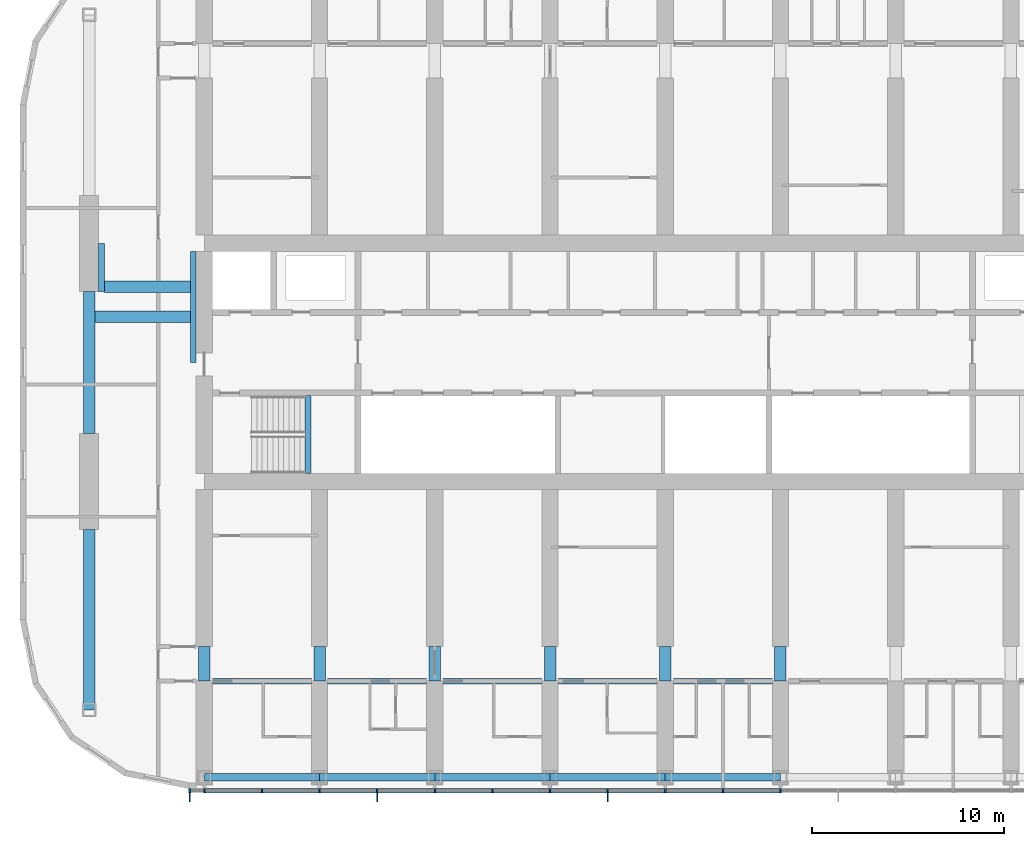
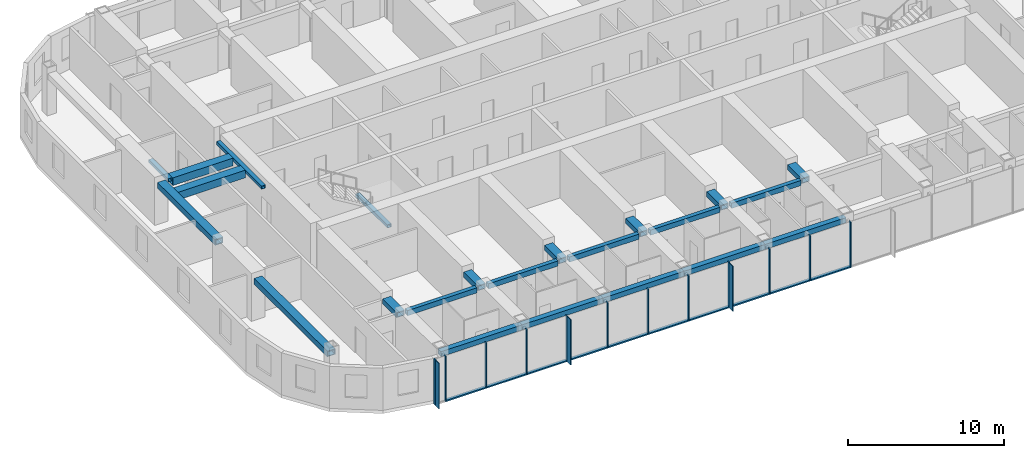
# One storey, part 2 of 23: 25 members, 23 beams, 1 element without a shape of its own.
"""IFC4 building model written with IfcOpenShell, lengths in metres."""

from ifc_helpers import new_model, si_unit, direction, frame, origin, origin_2d, place, context, subcontext, project, spatial, rectangle, hollow_rectangle, extrude, material, material_profile, profile_set, type_object, element, aggregate, save


model = new_model("IFC4")

# Units and contexts
model_context = context("Model", 3, precision=1e-05, world=origin(), true_north=direction((0.0, 1.0)))
body_context = subcontext(model_context, "Body", "Model", "MODEL_VIEW")
ifc_project = project(units=[si_unit("LENGTHUNIT", "METRE"), si_unit("AREAUNIT", "SQUARE_METRE"), si_unit("VOLUMEUNIT", "CUBIC_METRE"), si_unit("PLANEANGLEUNIT", "RADIAN"), si_unit("MASSUNIT", "GRAM", prefix="KILO")], contexts=[model_context])

# Site, building, storey
site_placement = place(None, origin())
site = spatial("IfcSite", under=ifc_project, at=site_placement, CompositionType="ELEMENT")
building_placement = place(site_placement, origin())
building = spatial("IfcBuilding", under=site, at=building_placement, Name="Orbita Commons", CompositionType="ELEMENT")
storey_placement = place(building_placement, frame((0.0, 0.0, 174.85009765625)))
storey = spatial("IfcBuildingStorey", under=building, at=storey_placement, Name="L43", CompositionType="ELEMENT", Elevation=174.85009765625)

# Curtain wall, members
ifc_material_1 = material(Name="Anodised aluminium frame, pale silver", Category="aluminium")
curtain_wall_type = type_object("IfcCurtainWallType", Name="Unitised curtain wall CW-U, full-height vision", PredefinedType="NOTDEFINED", material=ifc_material_1)
curtain_wall_placement = place(storey_placement, origin())
curtain_wall = element("IfcCurtainWall", 1, at=curtain_wall_placement, inside=storey, type_object=curtain_wall_type, Name="Curtain wall south L43", PredefinedType="NOTDEFINED")
ifc_material_2 = material(Name="Anodised aluminium, pale silver", Category="aluminium")
ifc_material_profile_1 = material_profile(ifc_material_2, rectangle(XDim=0.080078125, YDim=0.219970703125, at=origin_2d()), Name="AL 80x220")
ifc_profile_set_1 = profile_set([ifc_material_profile_1], Name="Anodised aluminium, pale silver")
member_type_1 = type_object("IfcMemberType", Name="Curtain wall mullion 80x220", PredefinedType="MULLION", material=ifc_profile_set_1)
member_1_placement = place(storey_placement, frame((17.239990234375, 9.68994140625, -0.25), z_axis=(0.0, 0.0, 1.0), x_axis=(1.0, 0.0, 0.0)))
member_1 = element("IfcMember", 2, at=member_1_placement, type_object=member_type_1, Name="Mullion 1 CW-L43-S", PredefinedType="MULLION", context=body_context, shape_type="SweptSolid", body=[
    extrude(rectangle(XDim=0.080078125, YDim=0.219970703125, at=origin_2d()), origin(), (0.0, 0.0, 1.0), 3.5498046875),
])
member_2_placement = place(storey_placement, frame((18.0, 9.68994140625, -0.25), z_axis=(0.0, 0.0, 1.0), x_axis=(1.0, 0.0, 0.0)))
member_2 = element("IfcMember", 3, at=member_2_placement, type_object=member_type_1, Name="Mullion 2 CW-L43-S", PredefinedType="MULLION", context=body_context, shape_type="SweptSolid", body=[
    extrude(rectangle(XDim=0.080078125, YDim=0.219970703125, at=origin_2d()), origin(), (0.0, 0.0, 1.0), 3.5498046875),
])
member_3_placement = place(storey_placement, frame((21.0, 9.68994140625, -0.25), z_axis=(0.0, 0.0, 1.0), x_axis=(1.0, 0.0, 0.0)))
member_3 = element("IfcMember", 4, at=member_3_placement, type_object=member_type_1, Name="Mullion 3 CW-L43-S", PredefinedType="MULLION", context=body_context, shape_type="SweptSolid", body=[
    extrude(rectangle(XDim=0.080078125, YDim=0.219970703125, at=origin_2d()), origin(), (0.0, 0.0, 1.0), 3.5498046875),
])
member_4_placement = place(storey_placement, frame((24.0, 9.68994140625, -0.25), z_axis=(0.0, 0.0, 1.0), x_axis=(1.0, 0.0, 0.0)))
member_4 = element("IfcMember", 5, at=member_4_placement, type_object=member_type_1, Name="Mullion 4 CW-L43-S", PredefinedType="MULLION", context=body_context, shape_type="SweptSolid", body=[
    extrude(rectangle(XDim=0.080078125, YDim=0.219970703125, at=origin_2d()), origin(), (0.0, 0.0, 1.0), 3.5498046875),
])
member_5_placement = place(storey_placement, frame((27.0, 9.68994140625, -0.25), z_axis=(0.0, 0.0, 1.0), x_axis=(1.0, 0.0, 0.0)))
member_5 = element("IfcMember", 6, at=member_5_placement, type_object=member_type_1, Name="Mullion 5 CW-L43-S", PredefinedType="MULLION", context=body_context, shape_type="SweptSolid", body=[
    extrude(rectangle(XDim=0.080078125, YDim=0.219970703125, at=origin_2d()), origin(), (0.0, 0.0, 1.0), 3.5498046875),
])
member_6_placement = place(storey_placement, frame((30.0, 9.68994140625, -0.25), z_axis=(0.0, 0.0, 1.0), x_axis=(1.0, 0.0, 0.0)))
member_6 = element("IfcMember", 7, at=member_6_placement, type_object=member_type_1, Name="Mullion 6 CW-L43-S", PredefinedType="MULLION", context=body_context, shape_type="SweptSolid", body=[
    extrude(rectangle(XDim=0.080078125, YDim=0.219970703125, at=origin_2d()), origin(), (0.0, 0.0, 1.0), 3.5498046875),
])
member_7_placement = place(storey_placement, frame((33.0, 9.68994140625, -0.25), z_axis=(0.0, 0.0, 1.0), x_axis=(1.0, 0.0, 0.0)))
member_7 = element("IfcMember", 8, at=member_7_placement, type_object=member_type_1, Name="Mullion 7 CW-L43-S", PredefinedType="MULLION", context=body_context, shape_type="SweptSolid", body=[
    extrude(rectangle(XDim=0.080078125, YDim=0.219970703125, at=origin_2d()), origin(), (0.0, 0.0, 1.0), 3.5498046875),
])
member_8_placement = place(storey_placement, frame((36.0, 9.68994140625, -0.25), z_axis=(0.0, 0.0, 1.0), x_axis=(1.0, 0.0, 0.0)))
member_8 = element("IfcMember", 9, at=member_8_placement, type_object=member_type_1, Name="Mullion 8 CW-L43-S", PredefinedType="MULLION", context=body_context, shape_type="SweptSolid", body=[
    extrude(rectangle(XDim=0.080078125, YDim=0.219970703125, at=origin_2d()), origin(), (0.0, 0.0, 1.0), 3.5498046875),
])
member_9_placement = place(storey_placement, frame((39.0, 9.68994140625, -0.25), z_axis=(0.0, 0.0, 1.0), x_axis=(1.0, 0.0, 0.0)))
member_9 = element("IfcMember", 10, at=member_9_placement, type_object=member_type_1, Name="Mullion 9 CW-L43-S", PredefinedType="MULLION", context=body_context, shape_type="SweptSolid", body=[
    extrude(rectangle(XDim=0.080078125, YDim=0.219970703125, at=origin_2d()), origin(), (0.0, 0.0, 1.0), 3.5498046875),
])
member_10_placement = place(storey_placement, frame((42.0, 9.68994140625, -0.25), z_axis=(0.0, 0.0, 1.0), x_axis=(1.0, 0.0, 0.0)))
member_10 = element("IfcMember", 11, at=member_10_placement, type_object=member_type_1, Name="Mullion 10 CW-L43-S", PredefinedType="MULLION", context=body_context, shape_type="SweptSolid", body=[
    extrude(rectangle(XDim=0.080078125, YDim=0.219970703125, at=origin_2d()), origin(), (0.0, 0.0, 1.0), 3.5498046875),
])
member_11_placement = place(storey_placement, frame((45.0, 9.68994140625, -0.25), z_axis=(0.0, 0.0, 1.0), x_axis=(1.0, 0.0, 0.0)))
member_11 = element("IfcMember", 12, at=member_11_placement, type_object=member_type_1, Name="Mullion 11 CW-L43-S", PredefinedType="MULLION", context=body_context, shape_type="SweptSolid", body=[
    extrude(rectangle(XDim=0.080078125, YDim=0.219970703125, at=origin_2d()), origin(), (0.0, 0.0, 1.0), 3.5498046875),
])
member_12_placement = place(storey_placement, frame((48.0, 9.68994140625, -0.25), z_axis=(0.0, 0.0, 1.0), x_axis=(1.0, 0.0, 0.0)))
member_12 = element("IfcMember", 13, at=member_12_placement, type_object=member_type_1, Name="Mullion 12 CW-L43-S", PredefinedType="MULLION", context=body_context, shape_type="SweptSolid", body=[
    extrude(rectangle(XDim=0.080078125, YDim=0.219970703125, at=origin_2d()), origin(), (0.0, 0.0, 1.0), 3.5498046875),
])
ifc_material_3 = material(Name="Anodised aluminium, pale silver", Category="aluminium")
ifc_material_profile_2 = material_profile(ifc_material_3, rectangle(XDim=0.219970703125, YDim=0.10009765625, at=origin_2d()), Name="AL 220x100")
ifc_profile_set_2 = profile_set([ifc_material_profile_2], Name="Anodised aluminium, pale silver")
member_type_2 = type_object("IfcMemberType", Name="Curtain wall stack transom 220x100", PredefinedType="USERDEFINED", material=ifc_profile_set_2)
member_13_placement = place(storey_placement, frame((18.0400390625, 9.68994140625, -0.2001953125), z_axis=(1.0, 0.0, 0.0), x_axis=(0.0, 1.0, 0.0)))
member_13 = element("IfcMember", 14, at=member_13_placement, type_object=member_type_2, Name="Transom 2.1 CW-L43-S", ObjectType="TRANSOM", PredefinedType="USERDEFINED", context=body_context, shape_type="SweptSolid", body=[
    extrude(rectangle(XDim=0.219970703125, YDim=0.10009765625, at=origin_2d()), origin(), (0.0, 0.0, 1.0), 2.919921875),
])
member_14_placement = place(storey_placement, frame((21.0400390625, 9.68994140625, -0.2001953125), z_axis=(1.0, 0.0, 0.0), x_axis=(0.0, 1.0, 0.0)))
member_14 = element("IfcMember", 15, at=member_14_placement, type_object=member_type_2, Name="Transom 3.1 CW-L43-S", ObjectType="TRANSOM", PredefinedType="USERDEFINED", context=body_context, shape_type="SweptSolid", body=[
    extrude(rectangle(XDim=0.219970703125, YDim=0.10009765625, at=origin_2d()), origin(), (0.0, 0.0, 1.0), 2.919921875),
])
member_15_placement = place(storey_placement, frame((24.0400390625, 9.68994140625, -0.2001953125), z_axis=(1.0, 0.0, 0.0), x_axis=(0.0, 1.0, 0.0)))
member_15 = element("IfcMember", 16, at=member_15_placement, type_object=member_type_2, Name="Transom 4.1 CW-L43-S", ObjectType="TRANSOM", PredefinedType="USERDEFINED", context=body_context, shape_type="SweptSolid", body=[
    extrude(rectangle(XDim=0.219970703125, YDim=0.10009765625, at=origin_2d()), origin(), (0.0, 0.0, 1.0), 2.919921875),
])
member_16_placement = place(storey_placement, frame((27.0400390625, 9.68994140625, -0.2001953125), z_axis=(1.0, 0.0, 0.0), x_axis=(0.0, 1.0, 0.0)))
member_16 = element("IfcMember", 17, at=member_16_placement, type_object=member_type_2, Name="Transom 5.1 CW-L43-S", ObjectType="TRANSOM", PredefinedType="USERDEFINED", context=body_context, shape_type="SweptSolid", body=[
    extrude(rectangle(XDim=0.219970703125, YDim=0.10009765625, at=origin_2d()), origin(), (0.0, 0.0, 1.0), 2.919921875),
])
member_17_placement = place(storey_placement, frame((30.0400390625, 9.68994140625, -0.2001953125), z_axis=(1.0, 0.0, 0.0), x_axis=(0.0, 1.0, 0.0)))
member_17 = element("IfcMember", 18, at=member_17_placement, type_object=member_type_2, Name="Transom 6.1 CW-L43-S", ObjectType="TRANSOM", PredefinedType="USERDEFINED", context=body_context, shape_type="SweptSolid", body=[
    extrude(rectangle(XDim=0.219970703125, YDim=0.10009765625, at=origin_2d()), origin(), (0.0, 0.0, 1.0), 2.919921875),
])
member_18_placement = place(storey_placement, frame((33.0400390625, 9.68994140625, -0.2001953125), z_axis=(1.0, 0.0, 0.0), x_axis=(0.0, 1.0, 0.0)))
member_18 = element("IfcMember", 19, at=member_18_placement, type_object=member_type_2, Name="Transom 7.1 CW-L43-S", ObjectType="TRANSOM", PredefinedType="USERDEFINED", context=body_context, shape_type="SweptSolid", body=[
    extrude(rectangle(XDim=0.219970703125, YDim=0.10009765625, at=origin_2d()), origin(), (0.0, 0.0, 1.0), 2.919921875),
])
member_19_placement = place(storey_placement, frame((36.0400390625, 9.68994140625, -0.2001953125), z_axis=(1.0, 0.0, 0.0), x_axis=(0.0, 1.0, 0.0)))
member_19 = element("IfcMember", 20, at=member_19_placement, type_object=member_type_2, Name="Transom 8.1 CW-L43-S", ObjectType="TRANSOM", PredefinedType="USERDEFINED", context=body_context, shape_type="SweptSolid", body=[
    extrude(rectangle(XDim=0.219970703125, YDim=0.10009765625, at=origin_2d()), origin(), (0.0, 0.0, 1.0), 2.919921875),
])
member_20_placement = place(storey_placement, frame((39.0400390625, 9.68994140625, -0.2001953125), z_axis=(1.0, 0.0, 0.0), x_axis=(0.0, 1.0, 0.0)))
member_20 = element("IfcMember", 21, at=member_20_placement, type_object=member_type_2, Name="Transom 9.1 CW-L43-S", ObjectType="TRANSOM", PredefinedType="USERDEFINED", context=body_context, shape_type="SweptSolid", body=[
    extrude(rectangle(XDim=0.219970703125, YDim=0.10009765625, at=origin_2d()), origin(), (0.0, 0.0, 1.0), 2.919921875),
])
member_21_placement = place(storey_placement, frame((42.0400390625, 9.68994140625, -0.2001953125), z_axis=(1.0, 0.0, 0.0), x_axis=(0.0, 1.0, 0.0)))
member_21 = element("IfcMember", 22, at=member_21_placement, type_object=member_type_2, Name="Transom 10.1 CW-L43-S", ObjectType="TRANSOM", PredefinedType="USERDEFINED", context=body_context, shape_type="SweptSolid", body=[
    extrude(rectangle(XDim=0.219970703125, YDim=0.10009765625, at=origin_2d()), origin(), (0.0, 0.0, 1.0), 2.919921875),
])
member_22_placement = place(storey_placement, frame((45.0400390625, 9.68994140625, -0.2001953125), z_axis=(1.0, 0.0, 0.0), x_axis=(0.0, 1.0, 0.0)))
member_22 = element("IfcMember", 23, at=member_22_placement, type_object=member_type_2, Name="Transom 11.1 CW-L43-S", ObjectType="TRANSOM", PredefinedType="USERDEFINED", context=body_context, shape_type="SweptSolid", body=[
    extrude(rectangle(XDim=0.219970703125, YDim=0.10009765625, at=origin_2d()), origin(), (0.0, 0.0, 1.0), 2.919921875),
])

# Beams
ifc_material_4 = material(Name="Steel ASTM A572 Gr 50 welded plate", Category="steel")
ifc_material_profile_3 = material_profile(ifc_material_4, hollow_rectangle(XDim=0.300048828125, YDim=0.25, WallThickness=0.02490234375, at=origin_2d()), Name="BOX 250x300x25")
ifc_profile_set_3 = profile_set([ifc_material_profile_3], Name="Steel ASTM A572 Gr 50 welded plate")
beam_type_1 = type_object("IfcBeamType", Name="Stair landing beam steel BOX 250x300x25", PredefinedType="BEAM", material=ifc_profile_set_3)
beam_1_placement = place(storey_placement, frame((23.39990234375, 26.2099609375, 1.5498046875), z_axis=(0.0, 1.0, 0.0), x_axis=(-1.0, 0.0, 0.0)))
element("IfcBeam", 24, at=beam_1_placement, inside=storey, type_object=beam_type_1, Name="Stair S1 landing beam L43 1", PredefinedType="BEAM", context=body_context, shape_type="SweptSolid", body=[
    extrude(hollow_rectangle(XDim=0.300048828125, YDim=0.25, WallThickness=0.02490234375, at=origin_2d()), origin(), (0.0, 0.0, 1.0), 4.054931640625),
])
ifc_material_5 = material(Name="Steel ASTM A572 Gr 50 welded plate", Category="steel")
ifc_material_profile_4 = material_profile(ifc_material_5, hollow_rectangle(XDim=0.60009765625, YDim=0.60009765625, WallThickness=0.06005859375, at=origin_2d()), Name="BOX 600x600x60")
ifc_profile_set_4 = profile_set([ifc_material_profile_4], Name="Steel ASTM A572 Gr 50 welded plate")
beam_type_2 = type_object("IfcBeamType", Name="Stair trimmer beam BOX 600x600x60", PredefinedType="BEAM", material=ifc_profile_set_4)
beam_2_placement = place(storey_placement, frame((12.300048828125, 34.375, 3.0), z_axis=(1.0, 0.0, 0.0), x_axis=(0.0, 1.0, 0.0)))
element("IfcBeam", 25, at=beam_2_placement, inside=storey, type_object=beam_type_2, Name="Neighbourhood stair L44 to L45 transfer beam 1", PredefinedType="BEAM", context=body_context, shape_type="SweptSolid", body=[
    extrude(hollow_rectangle(XDim=0.60009765625, YDim=0.60009765625, WallThickness=0.06005859375, at=origin_2d()), origin(), (0.0, 0.0, 1.0), 4.974853515625),
])
beam_3_placement = place(storey_placement, frame((12.800048828125, 35.93505859375, 3.0), z_axis=(1.0, 0.0, 0.0), x_axis=(0.0, 1.0, 0.0)))
element("IfcBeam", 26, at=beam_3_placement, inside=storey, type_object=beam_type_2, Name="Neighbourhood stair L44 to L45 transfer beam 2", PredefinedType="BEAM", context=body_context, shape_type="SweptSolid", body=[
    extrude(hollow_rectangle(XDim=0.60009765625, YDim=0.60009765625, WallThickness=0.06005859375, at=origin_2d()), origin(), (0.0, 0.0, 1.0), 4.474853515625),
])
ifc_material_6 = material(Name="Steel ASTM A572 Gr 50 welded plate", Category="steel")
ifc_material_profile_5 = material_profile(ifc_material_6, hollow_rectangle(XDim=0.300048828125, YDim=0.39990234375, WallThickness=0.0400390625, at=origin_2d()), Name="BOX 400x300x40")
ifc_profile_set_5 = profile_set([ifc_material_profile_5], Name="Steel ASTM A572 Gr 50 welded plate")
beam_type_3 = type_object("IfcBeamType", Name="Steel corridor link BOX 400x300x40", PredefinedType="BEAM", material=ifc_profile_set_5)
for number, where, z_axis, x_axis, name in (
    (27, (18.425048828125, 15.39990234375, 3.099853515625), (1.0, 0.0, 0.0), (0.0, 1.0, 0.0), "Corridor beam SA 4-5 L43"),
    (28, (24.425048828125, 15.39990234375, 3.099853515625), (1.0, 0.0, 0.0), (0.0, 1.0, 0.0), "Corridor beam SA 5-6 L43"),
    (29, (30.425048828125, 15.39990234375, 3.099853515625), (1.0, 0.0, 0.0), (0.0, 1.0, 0.0), "Corridor beam SA 6-7 L43"),
    (30, (36.425048828125, 15.39990234375, 3.099853515625), (1.0, 0.0, 0.0), (0.0, 1.0, 0.0), "Corridor beam SA 7-8 L43"),
    (31, (42.425048828125, 15.39990234375, 3.099853515625), (1.0, 0.0, 0.0), (0.0, 1.0, 0.0), "Corridor beam SA 8-9 L43"),
):
    element("IfcBeam", number, at=place(storey_placement, frame(where, z_axis=z_axis, x_axis=x_axis)), inside=storey, type_object=beam_type_3, Name=name, PredefinedType="BEAM", context=body_context, shape_type="SweptSolid", body=[
        extrude(hollow_rectangle(XDim=0.300048828125, YDim=0.39990234375, WallThickness=0.0400390625, at=origin_2d()), origin(), (0.0, 0.0, 1.0), 5.14990234375),
    ])
ifc_material_7 = material(Name="Steel ASTM A572 Gr 50 welded plate", Category="steel")
ifc_material_profile_6 = material_profile(ifc_material_7, hollow_rectangle(XDim=0.60009765625, YDim=0.39990234375, WallThickness=0.050048828125, at=origin_2d()), Name="BOX 400x600x50")
ifc_profile_set_6 = profile_set([ifc_material_profile_6], Name="Steel ASTM A572 Gr 50 welded plate")
beam_type_4 = type_object("IfcBeamType", Name="Steel coupling link BOX 400x600x50", PredefinedType="LINTEL", material=ifc_profile_set_6)
for number, where, z_axis, x_axis, name in (
    (32, (18.0, 15.39990234375, 3.099853515625), (0.0, 1.0, 0.0), (-1.0, 0.0, 0.0), "Coupling beam 4 south L43"),
    (33, (24.0, 15.39990234375, 3.099853515625), (0.0, 1.0, 0.0), (-1.0, 0.0, 0.0), "Coupling beam 5 south L43"),
    (34, (30.0, 15.39990234375, 3.099853515625), (0.0, 1.0, 0.0), (-1.0, 0.0, 0.0), "Coupling beam 6 south L43"),
    (35, (36.0, 15.39990234375, 3.099853515625), (0.0, 1.0, 0.0), (-1.0, 0.0, 0.0), "Coupling beam 7 south L43"),
    (36, (42.0, 15.39990234375, 3.099853515625), (0.0, 1.0, 0.0), (-1.0, 0.0, 0.0), "Coupling beam 8 south L43"),
    (37, (48.0, 15.39990234375, 3.099853515625), (0.0, 1.0, 0.0), (-1.0, 0.0, 0.0), "Coupling beam 9 south L43"),
):
    element("IfcBeam", number, at=place(storey_placement, frame(where, z_axis=z_axis, x_axis=x_axis)), inside=storey, type_object=beam_type_4, Name=name, PredefinedType="LINTEL", context=body_context, shape_type="SweptSolid", body=[
        extrude(hollow_rectangle(XDim=0.60009765625, YDim=0.39990234375, WallThickness=0.050048828125, at=origin_2d()), origin(), (0.0, 0.0, 1.0), 1.800048828125),
    ])
ifc_material_8 = material(Name="Steel ASTM A572 Gr 50 welded plate", Category="steel")
ifc_material_profile_7 = material_profile(ifc_material_8, hollow_rectangle(XDim=0.60009765625, YDim=0.449951171875, WallThickness=0.06005859375, at=origin_2d()), Name="BOX 450x600x60")
ifc_profile_set_7 = profile_set([ifc_material_profile_7], Name="Steel ASTM A572 Gr 50 welded plate")
beam_type_5 = type_object("IfcBeamType", Name="Steel end frame link BOX 450x600x60", PredefinedType="BEAM", material=ifc_profile_set_7)
beam_4_placement = place(storey_placement, frame((12.0, 13.89990234375, 3.074951171875), z_axis=(0.0, 1.0, 0.0), x_axis=(-1.0, 0.0, 0.0)))
element("IfcBeam", 38, at=beam_4_placement, inside=storey, type_object=beam_type_5, Name="End frame beam 3 B-C L43", PredefinedType="BEAM", context=body_context, shape_type="SweptSolid", body=[
    extrude(hollow_rectangle(XDim=0.60009765625, YDim=0.449951171875, WallThickness=0.06005859375, at=origin_2d()), origin(), (0.0, 0.0, 1.0), 9.400146484375),
])
beam_5_placement = place(storey_placement, frame((12.0, 28.300048828125, 3.074951171875), z_axis=(0.0, 1.0, 0.0), x_axis=(-1.0, 0.0, 0.0)))
element("IfcBeam", 39, at=beam_5_placement, inside=storey, type_object=beam_type_5, Name="End frame beam 3 C-D L43", PredefinedType="BEAM", context=body_context, shape_type="SweptSolid", body=[
    extrude(hollow_rectangle(XDim=0.60009765625, YDim=0.449951171875, WallThickness=0.06005859375, at=origin_2d()), origin(), (0.0, 0.0, 1.0), 7.39990234375),
])
ifc_material_9 = material(Name="Steel ASTM A572 Gr 50 welded plate", Category="steel")
ifc_material_profile_8 = material_profile(ifc_material_9, hollow_rectangle(XDim=0.39990234375, YDim=0.39990234375, WallThickness=0.0400390625, at=origin_2d()), Name="BOX 400x400x40")
ifc_profile_set_8 = profile_set([ifc_material_profile_8], Name="Steel ASTM A572 Gr 50 welded plate")
beam_type_6 = type_object("IfcBeamType", Name="Steel spandrel BOX 400x400x40", PredefinedType="SPANDREL", material=ifc_profile_set_8)
for number, where, z_axis, x_axis, name in (
    (40, (18.0, 10.39990234375, 3.099853515625), (1.0, 0.0, 0.0), (0.0, 1.0, 0.0), "Spandrel beam B 4-5 L43"),
    (41, (24.0, 10.39990234375, 3.099853515625), (1.0, 0.0, 0.0), (0.0, 1.0, 0.0), "Spandrel beam B 5-6 L43"),
    (42, (30.0, 10.39990234375, 3.099853515625), (1.0, 0.0, 0.0), (0.0, 1.0, 0.0), "Spandrel beam B 6-7 L43"),
    (43, (36.0, 10.39990234375, 3.099853515625), (1.0, 0.0, 0.0), (0.0, 1.0, 0.0), "Spandrel beam B 7-8 L43"),
    (44, (42.0, 10.39990234375, 3.099853515625), (1.0, 0.0, 0.0), (0.0, 1.0, 0.0), "Spandrel beam B 8-9 L43"),
):
    element("IfcBeam", number, at=place(storey_placement, frame(where, z_axis=z_axis, x_axis=x_axis)), inside=storey, type_object=beam_type_6, Name=name, PredefinedType="SPANDREL", context=body_context, shape_type="SweptSolid", body=[
        extrude(hollow_rectangle(XDim=0.39990234375, YDim=0.39990234375, WallThickness=0.0400390625, at=origin_2d()), origin(), (0.0, 0.0, 1.0), 6.0),
    ])
ifc_material_10 = material(Name="Steel ASTM A572 Gr 50 welded plate", Category="steel")
ifc_material_profile_9 = material_profile(ifc_material_10, hollow_rectangle(XDim=0.300048828125, YDim=0.25, WallThickness=0.02490234375, at=origin_2d()), Name="BOX 250x300x25")
ifc_profile_set_9 = profile_set([ifc_material_profile_9], Name="Steel ASTM A572 Gr 50 welded plate")
beam_type_7 = type_object("IfcBeamType", Name="Trimmer ledger beam BOX 250x300x25", PredefinedType="BEAM", material=ifc_profile_set_9)
beam_6_placement = place(storey_placement, frame((17.425048828125, 32.0, 3.1748046875), z_axis=(0.0, 1.0, 0.0), x_axis=(-1.0, 0.0, 0.0)))
element("IfcBeam", 45, at=beam_6_placement, inside=storey, type_object=beam_type_7, Name="Neighbourhood stair L44 to L45 trimmer ledger 1E", PredefinedType="BEAM", context=body_context, shape_type="SweptSolid", body=[
    extrude(hollow_rectangle(XDim=0.300048828125, YDim=0.25, WallThickness=0.02490234375, at=origin_2d()), origin(), (0.0, 0.0, 1.0), 5.77490234375),
])
beam_7_placement = place(storey_placement, frame((12.64990234375, 35.699951171875, 3.1748046875), z_axis=(0.0, 1.0, 0.0), x_axis=(-1.0, 0.0, 0.0)))
element("IfcBeam", 46, at=beam_7_placement, inside=storey, type_object=beam_type_7, Name="Neighbourhood stair L44 to L45 trimmer ledger 2W", PredefinedType="BEAM", context=body_context, shape_type="SweptSolid", body=[
    extrude(hollow_rectangle(XDim=0.300048828125, YDim=0.25, WallThickness=0.02490234375, at=origin_2d()), origin(), (0.0, 0.0, 1.0), 2.5),
])

# Member
ifc_material_11 = material(Name="Anodised aluminium, pale silver", Category="aluminium")
ifc_material_profile_10 = material_profile(ifc_material_11, rectangle(XDim=0.06005859375, YDim=0.449951171875, at=origin_2d()), Name="FIN 60x450")
ifc_profile_set_10 = profile_set([ifc_material_profile_10], Name="Anodised aluminium, pale silver")
member_type_3 = type_object("IfcMemberType", Name="Vertical fin 60x450 pale aluminium", PredefinedType="USERDEFINED", material=ifc_profile_set_10)
member_23_placement = place(storey_placement, frame((17.239990234375, 9.35498046875, -0.25), z_axis=(0.0, 0.0, 1.0), x_axis=(1.0, 0.0, 0.0)))
member_23 = element("IfcMember", 47, at=member_23_placement, type_object=member_type_3, Name="Fin 1 CW-L43-S", ObjectType="FIN", PredefinedType="USERDEFINED", context=body_context, shape_type="SweptSolid", body=[
    extrude(rectangle(XDim=0.06005859375, YDim=0.449951171875, at=origin_2d()), origin(), (0.0, 0.0, 1.0), 3.5498046875),
])

member_24_placement = place(storey_placement, frame((27.0, 9.35498046875, -0.25), z_axis=(0.0, 0.0, 1.0), x_axis=(1.0, 0.0, 0.0)))
member_24 = element("IfcMember", 48, at=member_24_placement, type_object=member_type_3, Name="Fin 5 CW-L43-S", ObjectType="FIN", PredefinedType="USERDEFINED", context=body_context, shape_type="SweptSolid", body=[
    extrude(rectangle(XDim=0.06005859375, YDim=0.449951171875, at=origin_2d()), origin(), (0.0, 0.0, 1.0), 3.5498046875),
])

member_25_placement = place(storey_placement, frame((39.0, 9.35498046875, -0.25), z_axis=(0.0, 0.0, 1.0), x_axis=(1.0, 0.0, 0.0)))
member_25 = element("IfcMember", 49, at=member_25_placement, type_object=member_type_3, Name="Fin 9 CW-L43-S", ObjectType="FIN", PredefinedType="USERDEFINED", context=body_context, shape_type="SweptSolid", body=[
    extrude(rectangle(XDim=0.06005859375, YDim=0.449951171875, at=origin_2d()), origin(), (0.0, 0.0, 1.0), 3.5498046875),
])

aggregate(curtain_wall, [member_1, member_23, member_2, member_3, member_4, member_5, member_24, member_6, member_7, member_8, member_9, member_25, member_10, member_11, member_12, member_13, member_14, member_15, member_16, member_17, member_18, member_19, member_20, member_21, member_22])

save(model, "model.ifc")
